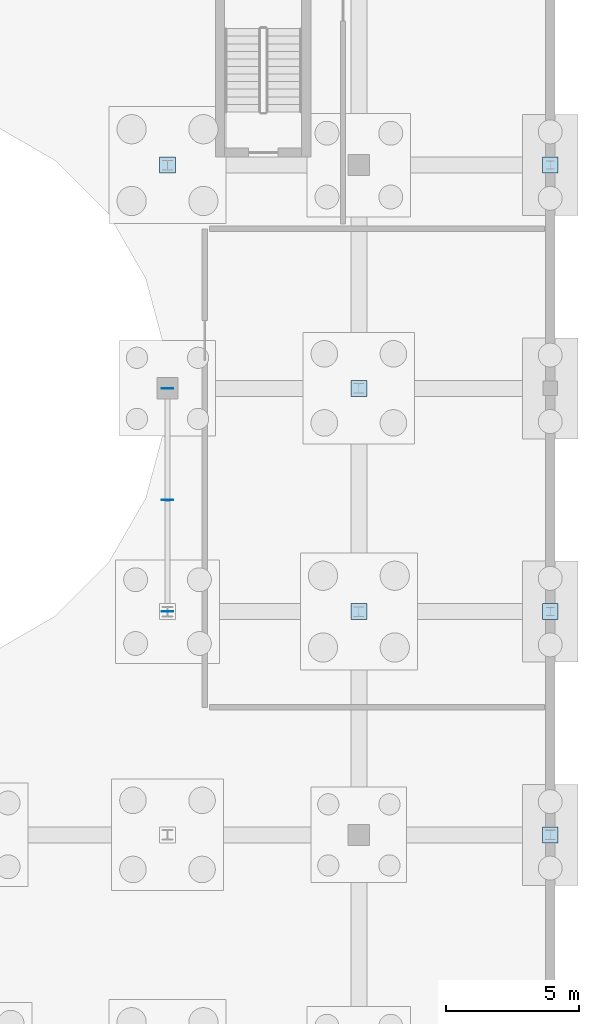
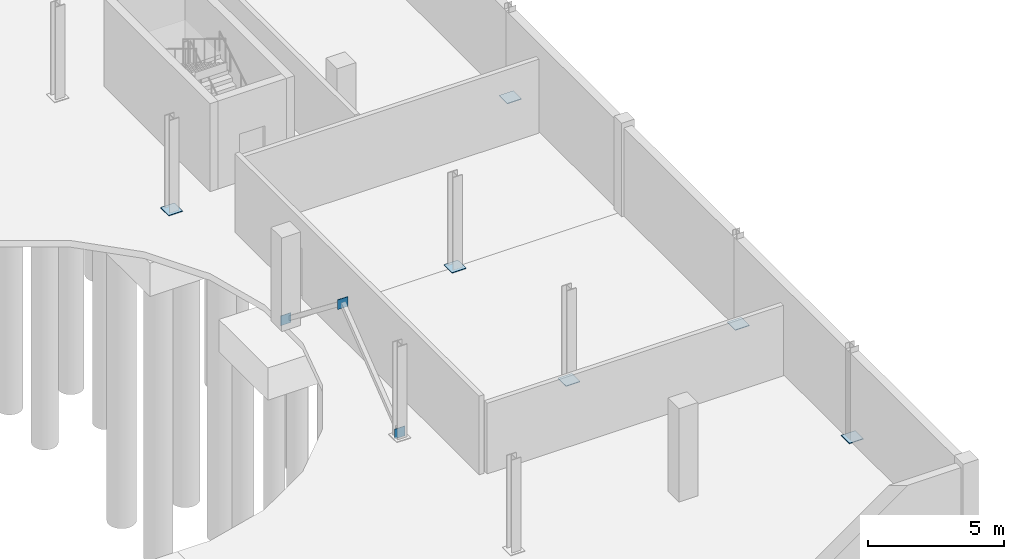
# One storey, part 20 of 32: 9 plates.
"""IFC4 building model written with IfcOpenShell, lengths in metres."""

from ifc_helpers import new_model, si_unit, direction, frame, origin, origin_2d, place, context, subcontext, project, spatial, rectangle, extrude, material, layer, layer_set, type_object, element, save


model = new_model("IFC4")

# Units and contexts
model_context = context("Model", 3, precision=1e-05, world=origin(), true_north=direction((0.0, 1.0)))
body_context = subcontext(model_context, "Body", "Model", "MODEL_VIEW")
ifc_project = project(units=[si_unit("LENGTHUNIT", "METRE"), si_unit("AREAUNIT", "SQUARE_METRE"), si_unit("VOLUMEUNIT", "CUBIC_METRE"), si_unit("PLANEANGLEUNIT", "RADIAN"), si_unit("MASSUNIT", "GRAM", prefix="KILO")], contexts=[model_context])

# Site, building, storey
site_placement = place(None, origin())
site = spatial("IfcSite", under=ifc_project, at=site_placement, CompositionType="ELEMENT")
building_placement = place(site_placement, origin())
building = spatial("IfcBuilding", under=site, at=building_placement, Name="Qelthora Terrace Specialist Clinic", CompositionType="ELEMENT")
storey_placement = place(building_placement, frame((0.0, 0.0, -4.199951171875)))
storey = spatial("IfcBuildingStorey", under=building, at=storey_placement, Name="B1", CompositionType="ELEMENT", Elevation=-4.199951171875)

# Plates
ifc_material = material(Name="Steel S355", Category="steel")
ifc_layer_1 = layer(ifc_material, 0.030029296875)
ifc_layer_set_1 = layer_set([ifc_layer_1], Name="Steel S355")
plate_type_1 = type_object("IfcPlateType", Name="PLT-BASE-600X600X30", PredefinedType="USERDEFINED", material=ifc_layer_set_1)
for number, where, z_axis, x_axis, name in (
    (1, (36.0, 92.39990234375, 0.0), (0.0, 0.0, 1.0), (1.0, 0.0, 0.0), "Steel column base plate BPLT-051"),
    (2, (43.199951171875, 75.60009765625, 0.0), (0.0, 0.0, 1.0), (1.0, 0.0, 0.0), "Steel column base plate BPLT-059"),
    (3, (43.199951171875, 84.0, 0.0), (0.0, 0.0, 1.0), (1.0, 0.0, 0.0), "Steel column base plate BPLT-060"),
    (4, (50.39990234375, 67.199951171875, 0.0), (0.0, 0.0, 1.0), (1.0, 0.0, 0.0), "Steel column base plate BPLT-063"),
    (5, (50.39990234375, 75.60009765625, 0.0), (0.0, 0.0, 1.0), (1.0, 0.0, 0.0), "Steel column base plate BPLT-064"),
    (6, (50.39990234375, 92.39990234375, 0.0), (0.0, 0.0, 1.0), (1.0, 0.0, 0.0), "Steel column base plate BPLT-065"),
):
    element("IfcPlate", number, at=place(storey_placement, frame(where, z_axis=z_axis, x_axis=x_axis)), inside=storey, type_object=plate_type_1, Name=name, ObjectType="GUSSET PLATE", PredefinedType="USERDEFINED", context=body_context, shape_type="SweptSolid", body=[
        extrude(rectangle(XDim=0.60009765625, YDim=0.60009765625, at=origin_2d()), origin(), (0.0, 0.0, 1.0), 0.030029296875),
    ])
ifc_layer_2 = layer(ifc_material, 0.02001953125)
ifc_layer_set_2 = layer_set([ifc_layer_2], Name="Steel S355")
plate_type_2 = type_object("IfcPlateType", Name="PLT-GUS-480X480X20", PredefinedType="USERDEFINED", material=ifc_layer_set_2)
for number, where, z_axis, x_axis, name in (
    (7, (36.0, 75.60009765625, -0.0400390625), (0.0, 0.0, 1.0), (1.0, 0.0, 0.0), "Steel truss node plate GPLT-0221"),
    (8, (36.0, 79.800048828125, 3.22998046875), (0.0, 0.0, 1.0), (1.0, 0.0, 0.0), "Steel truss node plate GPLT-0222"),
    (9, (36.0, 84.0, -0.0400390625), (0.0, 0.0, 1.0), (1.0, 0.0, 0.0), "Steel truss node plate GPLT-0223"),
):
    element("IfcPlate", number, at=place(storey_placement, frame(where, z_axis=z_axis, x_axis=x_axis)), inside=storey, type_object=plate_type_2, Name=name, ObjectType="GUSSET PLATE", PredefinedType="USERDEFINED", context=body_context, shape_type="SweptSolid", body=[
        extrude(rectangle(XDim=0.43994140625, YDim=0.02001953125, at=origin_2d()), origin(), (0.0, 0.0, 1.0), 0.43994140625),
    ])

save(model, "model.ifc")
